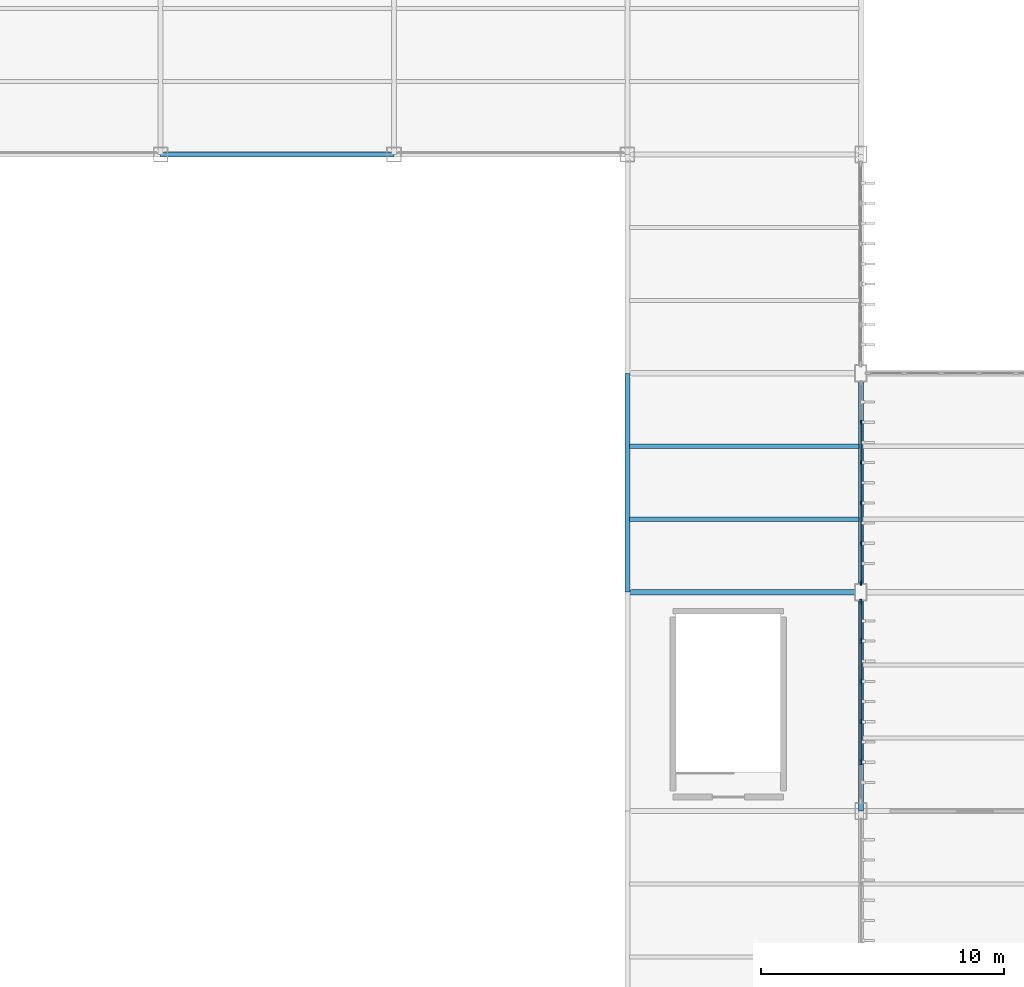
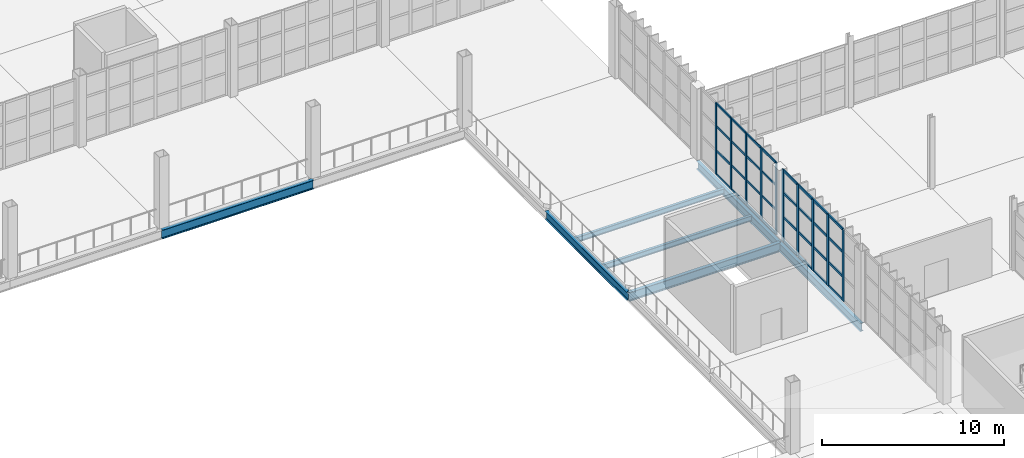
# One storey, part 35 of 120: 42 members, 7 beams, 2 elements without a shape of their own.
"""IFC4 building model written with IfcOpenShell, lengths in metres."""

from ifc_helpers import new_model, si_unit, direction, frame, origin, origin_2d, place, context, subcontext, project, spatial, rectangle, i_section, extrude, material, layer, layer_set, material_profile, profile_set, type_object, element, aggregate, save


model = new_model("IFC4")

# Units and contexts
model_context = context("Model", 3, precision=1e-05, world=origin(), true_north=direction((0.0, 1.0)))
body_context = subcontext(model_context, "Body", "Model", "MODEL_VIEW")
ifc_project = project(units=[si_unit("LENGTHUNIT", "METRE"), si_unit("AREAUNIT", "SQUARE_METRE"), si_unit("VOLUMEUNIT", "CUBIC_METRE"), si_unit("PLANEANGLEUNIT", "RADIAN"), si_unit("MASSUNIT", "GRAM", prefix="KILO")], contexts=[model_context])

# Site, building, storey
site_placement = place(None, origin())
site = spatial("IfcSite", under=ifc_project, at=site_placement, CompositionType="ELEMENT")
building_placement = place(site_placement, origin())
building = spatial("IfcBuilding", under=site, at=building_placement, Name="Zarnetskaya Central Station", CompositionType="ELEMENT")
storey_placement = place(building_placement, frame((0.0, 0.0, 5.39990234375)))
storey = spatial("IfcBuildingStorey", under=building, at=storey_placement, Name="L01", CompositionType="ELEMENT", Elevation=5.39990234375)

# Beams
ifc_material_1 = material(Name="Steel S355", Category="steel")
ifc_material_profile_1 = material_profile(ifc_material_1, i_section(OverallWidth=0.169921875, OverallDepth=0.360107421875, WebThickness=0.008056640625, FlangeThickness=0.0126953125, FilletRadius=0.01806640625, at=origin_2d()), Name="IPE 360")
ifc_profile_set_1 = profile_set([ifc_material_profile_1], Name="Steel S355")
beam_type_1 = type_object("IfcBeamType", Name="BM-SEC-360", PredefinedType="BEAM", material=ifc_profile_set_1)
for number, where, z_axis, x_axis, name in (
    (1, (115.280029296875, 43.199951171875, -0.4599609375), (1.0, 0.0, 0.0), (0.0, 1.0, 0.0), "Secondary floor beam SEC-L01-Z512-NP-67-1"),
    (2, (115.280029296875, 46.199951171875, -0.4599609375), (1.0, 0.0, 0.0), (0.0, 1.0, 0.0), "Secondary floor beam SEC-L01-Z512-NP-67-2"),
):
    element("IfcBeam", number, at=place(storey_placement, frame(where, z_axis=z_axis, x_axis=x_axis)), inside=storey, type_object=beam_type_1, Name=name, PredefinedType="BEAM", context=body_context, shape_type="SweptSolid", body=[
        extrude(i_section(OverallWidth=0.169921875, OverallDepth=0.360107421875, WebThickness=0.008056640625, FlangeThickness=0.0126953125, FilletRadius=0.01806640625, at=origin_2d()), origin(), (0.0, 0.0, 1.0), 9.43994140625),
    ])

# Curtain wall, members
ifc_material_2 = material(Name="Low-E insulated glass", Category="glass")
ifc_layer = layer(ifc_material_2, 0.1640625, Name="Low-E insulated glass", Category="glass")
ifc_layer_set = layer_set([ifc_layer], Name="Low-E insulated glass")
curtain_wall_type = type_object("IfcCurtainWallType", Name="CW-SYS-17", PredefinedType="USERDEFINED", material=ifc_layer_set)
curtain_wall_1_placement = place(storey_placement, origin())
curtain_wall_1 = element("IfcCurtainWall", 3, at=curtain_wall_1_placement, inside=storey, type_object=curtain_wall_type, Name="Curtain wall CW-L01-095", ObjectType="CURTAIN WALL", PredefinedType="USERDEFINED")
ifc_material_3 = material(Name="Anodised aluminium", Category="aluminium")
ifc_material_profile_2 = material_profile(ifc_material_3, rectangle(XDim=0.070068359375, YDim=0.179931640625, at=origin_2d()), Name="ALU MULL 70x180")
ifc_profile_set_2 = profile_set([ifc_material_profile_2], Name="Anodised aluminium")
member_type_1 = type_object("IfcMemberType", Name="CW-MULL-180", PredefinedType="MULLION", material=ifc_profile_set_2)
member_1_placement = place(storey_placement, frame((124.800048828125, 47.18994140625, 0.0), z_axis=(0.0, 0.0, 1.0), x_axis=(1.0, 0.0, 0.0)))
member_1 = element("IfcMember", 4, at=member_1_placement, type_object=member_type_1, Name="CW-03 mullion 2", PredefinedType="MULLION", context=body_context, shape_type="SweptSolid", body=[
    extrude(rectangle(XDim=0.070068359375, YDim=0.179931640625, at=origin_2d()), origin(), (0.0, 0.0, 1.0), 4.800048828125),
])
member_2_placement = place(storey_placement, frame((124.800048828125, 45.530029296875, 0.0), z_axis=(0.0, 0.0, 1.0), x_axis=(1.0, 0.0, 0.0)))
member_2 = element("IfcMember", 5, at=member_2_placement, type_object=member_type_1, Name="CW-03 mullion 3", PredefinedType="MULLION", context=body_context, shape_type="SweptSolid", body=[
    extrude(rectangle(XDim=0.070068359375, YDim=0.179931640625, at=origin_2d()), origin(), (0.0, 0.0, 1.0), 4.800048828125),
])
member_3_placement = place(storey_placement, frame((124.800048828125, 43.8701171875, 0.0), z_axis=(0.0, 0.0, 1.0), x_axis=(1.0, 0.0, 0.0)))
member_3 = element("IfcMember", 6, at=member_3_placement, type_object=member_type_1, Name="CW-03 mullion 4", PredefinedType="MULLION", context=body_context, shape_type="SweptSolid", body=[
    extrude(rectangle(XDim=0.070068359375, YDim=0.179931640625, at=origin_2d()), origin(), (0.0, 0.0, 1.0), 4.800048828125),
])
member_4_placement = place(storey_placement, frame((124.800048828125, 42.2099609375, 0.0), z_axis=(0.0, 0.0, 1.0), x_axis=(1.0, 0.0, 0.0)))
member_4 = element("IfcMember", 7, at=member_4_placement, type_object=member_type_1, Name="CW-03 mullion 5", PredefinedType="MULLION", context=body_context, shape_type="SweptSolid", body=[
    extrude(rectangle(XDim=0.070068359375, YDim=0.179931640625, at=origin_2d()), origin(), (0.0, 0.0, 1.0), 4.800048828125),
])
member_5_placement = place(storey_placement, frame((124.800048828125, 40.5849609375, 0.0), z_axis=(0.0, 0.0, 1.0), x_axis=(1.0, 0.0, 0.0)))
member_5 = element("IfcMember", 8, at=member_5_placement, type_object=member_type_1, Name="CW-03 mullion 6", PredefinedType="MULLION", context=body_context, shape_type="SweptSolid", body=[
    extrude(rectangle(XDim=0.070068359375, YDim=0.179931640625, at=origin_2d()), origin(), (0.0, 0.0, 1.0), 4.800048828125),
])

curtain_wall_2_placement = place(storey_placement, origin())
curtain_wall_2 = element("IfcCurtainWall", 9, at=curtain_wall_2_placement, inside=storey, type_object=curtain_wall_type, Name="Curtain wall CW-L01-092", ObjectType="CURTAIN WALL", PredefinedType="USERDEFINED")
ifc_material_profile_3 = material_profile(ifc_material_3, rectangle(XDim=0.080078125, YDim=0.219970703125, at=origin_2d()), Name="ALU MULL 80x220")
ifc_profile_set_3 = profile_set([ifc_material_profile_3], Name="Anodised aluminium")
member_type_2 = type_object("IfcMemberType", Name="CW-MULL-220", PredefinedType="MULLION", material=ifc_profile_set_3)
member_6_placement = place(storey_placement, frame((124.800048828125, 39.81005859375, 0.0), z_axis=(0.0, 0.0, 1.0), x_axis=(1.0, 0.0, 0.0)))
member_6 = element("IfcMember", 10, at=member_6_placement, type_object=member_type_2, Name="CW-03 mullion 1", PredefinedType="MULLION", context=body_context, shape_type="SweptSolid", body=[
    extrude(rectangle(XDim=0.080078125, YDim=0.219970703125, at=origin_2d()), origin(), (0.0, 0.0, 1.0), 4.800048828125),
])
member_7_placement = place(storey_placement, frame((124.800048828125, 38.18994140625, 0.0), z_axis=(0.0, 0.0, 1.0), x_axis=(1.0, 0.0, 0.0)))
member_7 = element("IfcMember", 11, at=member_7_placement, type_object=member_type_2, Name="CW-03 mullion 2", PredefinedType="MULLION", context=body_context, shape_type="SweptSolid", body=[
    extrude(rectangle(XDim=0.080078125, YDim=0.219970703125, at=origin_2d()), origin(), (0.0, 0.0, 1.0), 4.800048828125),
])
member_8_placement = place(storey_placement, frame((124.800048828125, 36.530029296875, 0.0), z_axis=(0.0, 0.0, 1.0), x_axis=(1.0, 0.0, 0.0)))
member_8 = element("IfcMember", 12, at=member_8_placement, type_object=member_type_2, Name="CW-03 mullion 3", PredefinedType="MULLION", context=body_context, shape_type="SweptSolid", body=[
    extrude(rectangle(XDim=0.080078125, YDim=0.219970703125, at=origin_2d()), origin(), (0.0, 0.0, 1.0), 4.800048828125),
])
member_9_placement = place(storey_placement, frame((124.800048828125, 34.8701171875, 0.0), z_axis=(0.0, 0.0, 1.0), x_axis=(1.0, 0.0, 0.0)))
member_9 = element("IfcMember", 13, at=member_9_placement, type_object=member_type_2, Name="CW-03 mullion 4", PredefinedType="MULLION", context=body_context, shape_type="SweptSolid", body=[
    extrude(rectangle(XDim=0.080078125, YDim=0.219970703125, at=origin_2d()), origin(), (0.0, 0.0, 1.0), 4.800048828125),
])
member_10_placement = place(storey_placement, frame((124.800048828125, 33.2099609375, 0.0), z_axis=(0.0, 0.0, 1.0), x_axis=(1.0, 0.0, 0.0)))
member_10 = element("IfcMember", 14, at=member_10_placement, type_object=member_type_2, Name="CW-03 mullion 5", PredefinedType="MULLION", context=body_context, shape_type="SweptSolid", body=[
    extrude(rectangle(XDim=0.080078125, YDim=0.219970703125, at=origin_2d()), origin(), (0.0, 0.0, 1.0), 4.800048828125),
])

# Member
ifc_material_profile_4 = material_profile(ifc_material_3, rectangle(XDim=0.070068359375, YDim=0.139892578125, at=origin_2d()), Name="ALU TRAN 70x140")
ifc_profile_set_4 = profile_set([ifc_material_profile_4], Name="Anodised aluminium")
member_type_3 = type_object("IfcMemberType", Name="CW-TRAN-140", PredefinedType="USERDEFINED", material=ifc_profile_set_4)
member_11_placement = place(storey_placement, frame((124.800048828125, 47.155029296875, 0.03515625), z_axis=(0.0, -1.0, 0.0), x_axis=(1.0, 0.0, 0.0)))
member_11 = element("IfcMember", 15, at=member_11_placement, type_object=member_type_3, Name="CW-03 transom 2.1", ObjectType="TRANSOM", PredefinedType="USERDEFINED", context=body_context, shape_type="SweptSolid", body=[
    extrude(rectangle(XDim=0.070068359375, YDim=0.139892578125, at=origin_2d()), origin(), (0.0, 0.0, 1.0), 1.590087890625),
])

member_12_placement = place(storey_placement, frame((124.800048828125, 47.155029296875, 1.632080078125), z_axis=(0.0, -1.0, 0.0), x_axis=(1.0, 0.0, 0.0)))
member_12 = element("IfcMember", 16, at=member_12_placement, type_object=member_type_3, Name="CW-03 transom 2.2", ObjectType="TRANSOM", PredefinedType="USERDEFINED", context=body_context, shape_type="SweptSolid", body=[
    extrude(rectangle(XDim=0.070068359375, YDim=0.139892578125, at=origin_2d()), origin(), (0.0, 0.0, 1.0), 1.590087890625),
])

member_13_placement = place(storey_placement, frame((124.800048828125, 47.155029296875, 3.26416015625), z_axis=(0.0, -1.0, 0.0), x_axis=(1.0, 0.0, 0.0)))
member_13 = element("IfcMember", 17, at=member_13_placement, type_object=member_type_3, Name="CW-03 transom 2.3", ObjectType="TRANSOM", PredefinedType="USERDEFINED", context=body_context, shape_type="SweptSolid", body=[
    extrude(rectangle(XDim=0.070068359375, YDim=0.139892578125, at=origin_2d()), origin(), (0.0, 0.0, 1.0), 1.590087890625),
])

member_14_placement = place(storey_placement, frame((124.800048828125, 47.155029296875, 4.76513671875), z_axis=(0.0, -1.0, 0.0), x_axis=(1.0, 0.0, 0.0)))
member_14 = element("IfcMember", 18, at=member_14_placement, type_object=member_type_3, Name="CW-03 transom 2.4", ObjectType="TRANSOM", PredefinedType="USERDEFINED", context=body_context, shape_type="SweptSolid", body=[
    extrude(rectangle(XDim=0.070068359375, YDim=0.139892578125, at=origin_2d()), origin(), (0.0, 0.0, 1.0), 1.590087890625),
])

member_15_placement = place(storey_placement, frame((124.800048828125, 45.4951171875, 0.03515625), z_axis=(0.0, -1.0, 0.0), x_axis=(1.0, 0.0, 0.0)))
member_15 = element("IfcMember", 19, at=member_15_placement, type_object=member_type_3, Name="CW-03 transom 3.1", ObjectType="TRANSOM", PredefinedType="USERDEFINED", context=body_context, shape_type="SweptSolid", body=[
    extrude(rectangle(XDim=0.070068359375, YDim=0.139892578125, at=origin_2d()), origin(), (0.0, 0.0, 1.0), 1.590087890625),
])

member_16_placement = place(storey_placement, frame((124.800048828125, 45.4951171875, 1.632080078125), z_axis=(0.0, -1.0, 0.0), x_axis=(1.0, 0.0, 0.0)))
member_16 = element("IfcMember", 20, at=member_16_placement, type_object=member_type_3, Name="CW-03 transom 3.2", ObjectType="TRANSOM", PredefinedType="USERDEFINED", context=body_context, shape_type="SweptSolid", body=[
    extrude(rectangle(XDim=0.070068359375, YDim=0.139892578125, at=origin_2d()), origin(), (0.0, 0.0, 1.0), 1.590087890625),
])

member_17_placement = place(storey_placement, frame((124.800048828125, 45.4951171875, 3.26416015625), z_axis=(0.0, -1.0, 0.0), x_axis=(1.0, 0.0, 0.0)))
member_17 = element("IfcMember", 21, at=member_17_placement, type_object=member_type_3, Name="CW-03 transom 3.3", ObjectType="TRANSOM", PredefinedType="USERDEFINED", context=body_context, shape_type="SweptSolid", body=[
    extrude(rectangle(XDim=0.070068359375, YDim=0.139892578125, at=origin_2d()), origin(), (0.0, 0.0, 1.0), 1.590087890625),
])

member_18_placement = place(storey_placement, frame((124.800048828125, 45.4951171875, 4.76513671875), z_axis=(0.0, -1.0, 0.0), x_axis=(1.0, 0.0, 0.0)))
member_18 = element("IfcMember", 22, at=member_18_placement, type_object=member_type_3, Name="CW-03 transom 3.4", ObjectType="TRANSOM", PredefinedType="USERDEFINED", context=body_context, shape_type="SweptSolid", body=[
    extrude(rectangle(XDim=0.070068359375, YDim=0.139892578125, at=origin_2d()), origin(), (0.0, 0.0, 1.0), 1.590087890625),
])

member_19_placement = place(storey_placement, frame((124.800048828125, 43.8349609375, 0.03515625), z_axis=(0.0, -1.0, 0.0), x_axis=(1.0, 0.0, 0.0)))
member_19 = element("IfcMember", 23, at=member_19_placement, type_object=member_type_3, Name="CW-03 transom 4.1", ObjectType="TRANSOM", PredefinedType="USERDEFINED", context=body_context, shape_type="SweptSolid", body=[
    extrude(rectangle(XDim=0.070068359375, YDim=0.139892578125, at=origin_2d()), origin(), (0.0, 0.0, 1.0), 1.58984375),
])

member_20_placement = place(storey_placement, frame((124.800048828125, 43.8349609375, 1.632080078125), z_axis=(0.0, -1.0, 0.0), x_axis=(1.0, 0.0, 0.0)))
member_20 = element("IfcMember", 24, at=member_20_placement, type_object=member_type_3, Name="CW-03 transom 4.2", ObjectType="TRANSOM", PredefinedType="USERDEFINED", context=body_context, shape_type="SweptSolid", body=[
    extrude(rectangle(XDim=0.070068359375, YDim=0.139892578125, at=origin_2d()), origin(), (0.0, 0.0, 1.0), 1.58984375),
])

member_21_placement = place(storey_placement, frame((124.800048828125, 43.8349609375, 3.26416015625), z_axis=(0.0, -1.0, 0.0), x_axis=(1.0, 0.0, 0.0)))
member_21 = element("IfcMember", 25, at=member_21_placement, type_object=member_type_3, Name="CW-03 transom 4.3", ObjectType="TRANSOM", PredefinedType="USERDEFINED", context=body_context, shape_type="SweptSolid", body=[
    extrude(rectangle(XDim=0.070068359375, YDim=0.139892578125, at=origin_2d()), origin(), (0.0, 0.0, 1.0), 1.58984375),
])

member_22_placement = place(storey_placement, frame((124.800048828125, 43.8349609375, 4.76513671875), z_axis=(0.0, -1.0, 0.0), x_axis=(1.0, 0.0, 0.0)))
member_22 = element("IfcMember", 26, at=member_22_placement, type_object=member_type_3, Name="CW-03 transom 4.4", ObjectType="TRANSOM", PredefinedType="USERDEFINED", context=body_context, shape_type="SweptSolid", body=[
    extrude(rectangle(XDim=0.070068359375, YDim=0.139892578125, at=origin_2d()), origin(), (0.0, 0.0, 1.0), 1.58984375),
])

member_23_placement = place(storey_placement, frame((124.800048828125, 42.175048828125, 0.03515625), z_axis=(0.0, -1.0, 0.0), x_axis=(1.0, 0.0, 0.0)))
member_23 = element("IfcMember", 27, at=member_23_placement, type_object=member_type_3, Name="CW-03 transom 5.1", ObjectType="TRANSOM", PredefinedType="USERDEFINED", context=body_context, shape_type="SweptSolid", body=[
    extrude(rectangle(XDim=0.070068359375, YDim=0.139892578125, at=origin_2d()), origin(), (0.0, 0.0, 1.0), 1.554931640625),
])

member_24_placement = place(storey_placement, frame((124.800048828125, 42.175048828125, 1.632080078125), z_axis=(0.0, -1.0, 0.0), x_axis=(1.0, 0.0, 0.0)))
member_24 = element("IfcMember", 28, at=member_24_placement, type_object=member_type_3, Name="CW-03 transom 5.2", ObjectType="TRANSOM", PredefinedType="USERDEFINED", context=body_context, shape_type="SweptSolid", body=[
    extrude(rectangle(XDim=0.070068359375, YDim=0.139892578125, at=origin_2d()), origin(), (0.0, 0.0, 1.0), 1.554931640625),
])

member_25_placement = place(storey_placement, frame((124.800048828125, 42.175048828125, 3.26416015625), z_axis=(0.0, -1.0, 0.0), x_axis=(1.0, 0.0, 0.0)))
member_25 = element("IfcMember", 29, at=member_25_placement, type_object=member_type_3, Name="CW-03 transom 5.3", ObjectType="TRANSOM", PredefinedType="USERDEFINED", context=body_context, shape_type="SweptSolid", body=[
    extrude(rectangle(XDim=0.070068359375, YDim=0.139892578125, at=origin_2d()), origin(), (0.0, 0.0, 1.0), 1.554931640625),
])

member_26_placement = place(storey_placement, frame((124.800048828125, 42.175048828125, 4.76513671875), z_axis=(0.0, -1.0, 0.0), x_axis=(1.0, 0.0, 0.0)))
member_26 = element("IfcMember", 30, at=member_26_placement, type_object=member_type_3, Name="CW-03 transom 5.4", ObjectType="TRANSOM", PredefinedType="USERDEFINED", context=body_context, shape_type="SweptSolid", body=[
    extrude(rectangle(XDim=0.070068359375, YDim=0.139892578125, at=origin_2d()), origin(), (0.0, 0.0, 1.0), 1.554931640625),
])

aggregate(curtain_wall_1, [member_1, member_2, member_3, member_4, member_5, member_11, member_12, member_13, member_14, member_15, member_16, member_17, member_18, member_19, member_20, member_21, member_22, member_23, member_24, member_25, member_26])

ifc_material_profile_5 = material_profile(ifc_material_3, rectangle(XDim=0.080078125, YDim=0.159912109375, at=origin_2d()), Name="ALU TRAN 80x160")
ifc_profile_set_5 = profile_set([ifc_material_profile_5], Name="Anodised aluminium")
member_type_4 = type_object("IfcMemberType", Name="CW-TRAN-160", PredefinedType="USERDEFINED", material=ifc_profile_set_5)
member_27_placement = place(storey_placement, frame((124.800048828125, 39.77001953125, 0.0400390625), z_axis=(0.0, -1.0, 0.0), x_axis=(1.0, 0.0, 0.0)))
member_27 = element("IfcMember", 31, at=member_27_placement, type_object=member_type_4, Name="CW-03 transom 1.1", ObjectType="TRANSOM", PredefinedType="USERDEFINED", context=body_context, shape_type="SweptSolid", body=[
    extrude(rectangle(XDim=0.080078125, YDim=0.159912109375, at=origin_2d()), origin(), (0.0, 0.0, 1.0), 1.5400390625),
])

member_28_placement = place(storey_placement, frame((124.800048828125, 39.77001953125, 1.632080078125), z_axis=(0.0, -1.0, 0.0), x_axis=(1.0, 0.0, 0.0)))
member_28 = element("IfcMember", 32, at=member_28_placement, type_object=member_type_4, Name="CW-03 transom 1.2", ObjectType="TRANSOM", PredefinedType="USERDEFINED", context=body_context, shape_type="SweptSolid", body=[
    extrude(rectangle(XDim=0.080078125, YDim=0.159912109375, at=origin_2d()), origin(), (0.0, 0.0, 1.0), 1.5400390625),
])

member_29_placement = place(storey_placement, frame((124.800048828125, 39.77001953125, 3.26416015625), z_axis=(0.0, -1.0, 0.0), x_axis=(1.0, 0.0, 0.0)))
member_29 = element("IfcMember", 33, at=member_29_placement, type_object=member_type_4, Name="CW-03 transom 1.3", ObjectType="TRANSOM", PredefinedType="USERDEFINED", context=body_context, shape_type="SweptSolid", body=[
    extrude(rectangle(XDim=0.080078125, YDim=0.159912109375, at=origin_2d()), origin(), (0.0, 0.0, 1.0), 1.5400390625),
])

member_30_placement = place(storey_placement, frame((124.800048828125, 39.77001953125, 4.760009765625), z_axis=(0.0, -1.0, 0.0), x_axis=(1.0, 0.0, 0.0)))
member_30 = element("IfcMember", 34, at=member_30_placement, type_object=member_type_4, Name="CW-03 transom 1.4", ObjectType="TRANSOM", PredefinedType="USERDEFINED", context=body_context, shape_type="SweptSolid", body=[
    extrude(rectangle(XDim=0.080078125, YDim=0.159912109375, at=origin_2d()), origin(), (0.0, 0.0, 1.0), 1.5400390625),
])

member_31_placement = place(storey_placement, frame((124.800048828125, 38.14990234375, 0.0400390625), z_axis=(0.0, -1.0, 0.0), x_axis=(1.0, 0.0, 0.0)))
member_31 = element("IfcMember", 35, at=member_31_placement, type_object=member_type_4, Name="CW-03 transom 2.1", ObjectType="TRANSOM", PredefinedType="USERDEFINED", context=body_context, shape_type="SweptSolid", body=[
    extrude(rectangle(XDim=0.080078125, YDim=0.159912109375, at=origin_2d()), origin(), (0.0, 0.0, 1.0), 1.579833984375),
])

member_32_placement = place(storey_placement, frame((124.800048828125, 38.14990234375, 1.632080078125), z_axis=(0.0, -1.0, 0.0), x_axis=(1.0, 0.0, 0.0)))
member_32 = element("IfcMember", 36, at=member_32_placement, type_object=member_type_4, Name="CW-03 transom 2.2", ObjectType="TRANSOM", PredefinedType="USERDEFINED", context=body_context, shape_type="SweptSolid", body=[
    extrude(rectangle(XDim=0.080078125, YDim=0.159912109375, at=origin_2d()), origin(), (0.0, 0.0, 1.0), 1.579833984375),
])

member_33_placement = place(storey_placement, frame((124.800048828125, 38.14990234375, 3.26416015625), z_axis=(0.0, -1.0, 0.0), x_axis=(1.0, 0.0, 0.0)))
member_33 = element("IfcMember", 37, at=member_33_placement, type_object=member_type_4, Name="CW-03 transom 2.3", ObjectType="TRANSOM", PredefinedType="USERDEFINED", context=body_context, shape_type="SweptSolid", body=[
    extrude(rectangle(XDim=0.080078125, YDim=0.159912109375, at=origin_2d()), origin(), (0.0, 0.0, 1.0), 1.579833984375),
])

member_34_placement = place(storey_placement, frame((124.800048828125, 38.14990234375, 4.760009765625), z_axis=(0.0, -1.0, 0.0), x_axis=(1.0, 0.0, 0.0)))
member_34 = element("IfcMember", 38, at=member_34_placement, type_object=member_type_4, Name="CW-03 transom 2.4", ObjectType="TRANSOM", PredefinedType="USERDEFINED", context=body_context, shape_type="SweptSolid", body=[
    extrude(rectangle(XDim=0.080078125, YDim=0.159912109375, at=origin_2d()), origin(), (0.0, 0.0, 1.0), 1.579833984375),
])

member_35_placement = place(storey_placement, frame((124.800048828125, 36.489990234375, 0.0400390625), z_axis=(0.0, -1.0, 0.0), x_axis=(1.0, 0.0, 0.0)))
member_35 = element("IfcMember", 39, at=member_35_placement, type_object=member_type_4, Name="CW-03 transom 3.1", ObjectType="TRANSOM", PredefinedType="USERDEFINED", context=body_context, shape_type="SweptSolid", body=[
    extrude(rectangle(XDim=0.080078125, YDim=0.159912109375, at=origin_2d()), origin(), (0.0, 0.0, 1.0), 1.580078125),
])

member_36_placement = place(storey_placement, frame((124.800048828125, 36.489990234375, 1.632080078125), z_axis=(0.0, -1.0, 0.0), x_axis=(1.0, 0.0, 0.0)))
member_36 = element("IfcMember", 40, at=member_36_placement, type_object=member_type_4, Name="CW-03 transom 3.2", ObjectType="TRANSOM", PredefinedType="USERDEFINED", context=body_context, shape_type="SweptSolid", body=[
    extrude(rectangle(XDim=0.080078125, YDim=0.159912109375, at=origin_2d()), origin(), (0.0, 0.0, 1.0), 1.580078125),
])

member_37_placement = place(storey_placement, frame((124.800048828125, 36.489990234375, 3.26416015625), z_axis=(0.0, -1.0, 0.0), x_axis=(1.0, 0.0, 0.0)))
member_37 = element("IfcMember", 41, at=member_37_placement, type_object=member_type_4, Name="CW-03 transom 3.3", ObjectType="TRANSOM", PredefinedType="USERDEFINED", context=body_context, shape_type="SweptSolid", body=[
    extrude(rectangle(XDim=0.080078125, YDim=0.159912109375, at=origin_2d()), origin(), (0.0, 0.0, 1.0), 1.580078125),
])

member_38_placement = place(storey_placement, frame((124.800048828125, 36.489990234375, 4.760009765625), z_axis=(0.0, -1.0, 0.0), x_axis=(1.0, 0.0, 0.0)))
member_38 = element("IfcMember", 42, at=member_38_placement, type_object=member_type_4, Name="CW-03 transom 3.4", ObjectType="TRANSOM", PredefinedType="USERDEFINED", context=body_context, shape_type="SweptSolid", body=[
    extrude(rectangle(XDim=0.080078125, YDim=0.159912109375, at=origin_2d()), origin(), (0.0, 0.0, 1.0), 1.580078125),
])

member_39_placement = place(storey_placement, frame((124.800048828125, 34.830078125, 0.0400390625), z_axis=(0.0, -1.0, 0.0), x_axis=(1.0, 0.0, 0.0)))
member_39 = element("IfcMember", 43, at=member_39_placement, type_object=member_type_4, Name="CW-03 transom 4.1", ObjectType="TRANSOM", PredefinedType="USERDEFINED", context=body_context, shape_type="SweptSolid", body=[
    extrude(rectangle(XDim=0.080078125, YDim=0.159912109375, at=origin_2d()), origin(), (0.0, 0.0, 1.0), 1.580078125),
])

member_40_placement = place(storey_placement, frame((124.800048828125, 34.830078125, 1.632080078125), z_axis=(0.0, -1.0, 0.0), x_axis=(1.0, 0.0, 0.0)))
member_40 = element("IfcMember", 44, at=member_40_placement, type_object=member_type_4, Name="CW-03 transom 4.2", ObjectType="TRANSOM", PredefinedType="USERDEFINED", context=body_context, shape_type="SweptSolid", body=[
    extrude(rectangle(XDim=0.080078125, YDim=0.159912109375, at=origin_2d()), origin(), (0.0, 0.0, 1.0), 1.580078125),
])

member_41_placement = place(storey_placement, frame((124.800048828125, 34.830078125, 3.26416015625), z_axis=(0.0, -1.0, 0.0), x_axis=(1.0, 0.0, 0.0)))
member_41 = element("IfcMember", 45, at=member_41_placement, type_object=member_type_4, Name="CW-03 transom 4.3", ObjectType="TRANSOM", PredefinedType="USERDEFINED", context=body_context, shape_type="SweptSolid", body=[
    extrude(rectangle(XDim=0.080078125, YDim=0.159912109375, at=origin_2d()), origin(), (0.0, 0.0, 1.0), 1.580078125),
])

member_42_placement = place(storey_placement, frame((124.800048828125, 34.830078125, 4.760009765625), z_axis=(0.0, -1.0, 0.0), x_axis=(1.0, 0.0, 0.0)))
member_42 = element("IfcMember", 46, at=member_42_placement, type_object=member_type_4, Name="CW-03 transom 4.4", ObjectType="TRANSOM", PredefinedType="USERDEFINED", context=body_context, shape_type="SweptSolid", body=[
    extrude(rectangle(XDim=0.080078125, YDim=0.159912109375, at=origin_2d()), origin(), (0.0, 0.0, 1.0), 1.580078125),
])

aggregate(curtain_wall_2, [member_6, member_7, member_8, member_9, member_10, member_27, member_28, member_29, member_30, member_31, member_32, member_33, member_34, member_35, member_36, member_37, member_38, member_39, member_40, member_41, member_42])

# Beams
ifc_material_profile_6 = material_profile(ifc_material_1, i_section(OverallWidth=0.2099609375, OverallDepth=0.550048828125, WebThickness=0.010986328125, FlangeThickness=0.01708984375, FilletRadius=0.02392578125, at=origin_2d()), Name="IPE 550")
ifc_profile_set_6 = profile_set([ifc_material_profile_6], Name="Steel S355")
beam_type_2 = type_object("IfcBeamType", Name="GD-FLR-550", PredefinedType="USERDEFINED", material=ifc_profile_set_6)
for number, where, z_axis, x_axis, name in (
    (47, (115.199951171875, 40.199951171875, -0.554931640625), (0.0, 1.0, 0.0), (-1.0, 0.0, 0.0), "Grid girder GY-L01-N-67"),
    (48, (124.800048828125, 31.199951171875, -0.554931640625), (0.0, 1.0, 0.0), (-1.0, 0.0, 0.0), "Grid girder GY-L01-P-56"),
    (49, (124.800048828125, 40.199951171875, -0.554931640625), (0.0, 1.0, 0.0), (-1.0, 0.0, 0.0), "Grid girder GY-L01-P-67"),
):
    element("IfcBeam", number, at=place(storey_placement, frame(where, z_axis=z_axis, x_axis=x_axis)), inside=storey, type_object=beam_type_2, Name=name, ObjectType="GIRDER", PredefinedType="USERDEFINED", context=body_context, shape_type="SweptSolid", body=[
        extrude(i_section(OverallWidth=0.2099609375, OverallDepth=0.550048828125, WebThickness=0.010986328125, FlangeThickness=0.01708984375, FilletRadius=0.02392578125, at=origin_2d()), origin(), (0.0, 0.0, 1.0), 9.0),
    ])
ifc_material_profile_7 = material_profile(ifc_material_1, i_section(OverallWidth=0.219970703125, OverallDepth=0.60009765625, WebThickness=0.011962890625, FlangeThickness=0.01904296875, FilletRadius=0.02392578125, at=origin_2d()), Name="IPE 600")
ifc_profile_set_7 = profile_set([ifc_material_profile_7], Name="Steel S355")
beam_type_3 = type_object("IfcBeamType", Name="GD-FLR-600", PredefinedType="USERDEFINED", material=ifc_profile_set_7)
for number, where, z_axis, x_axis, name in (
    (50, (96.0, 58.199951171875, -0.579833984375), (1.0, 0.0, 0.0), (0.0, 1.0, 0.0), "Grid girder GX-L01-8-LM"),
    (51, (115.199951171875, 40.199951171875, -0.579833984375), (1.0, 0.0, 0.0), (0.0, 1.0, 0.0), "Grid girder GX-L01-6-NP"),
):
    element("IfcBeam", number, at=place(storey_placement, frame(where, z_axis=z_axis, x_axis=x_axis)), inside=storey, type_object=beam_type_3, Name=name, ObjectType="GIRDER", PredefinedType="USERDEFINED", context=body_context, shape_type="SweptSolid", body=[
        extrude(i_section(OverallWidth=0.219970703125, OverallDepth=0.60009765625, WebThickness=0.011962890625, FlangeThickness=0.01904296875, FilletRadius=0.02392578125, at=origin_2d()), origin(), (0.0, 0.0, 1.0), 9.60009765625),
    ])

save(model, "model.ifc")
